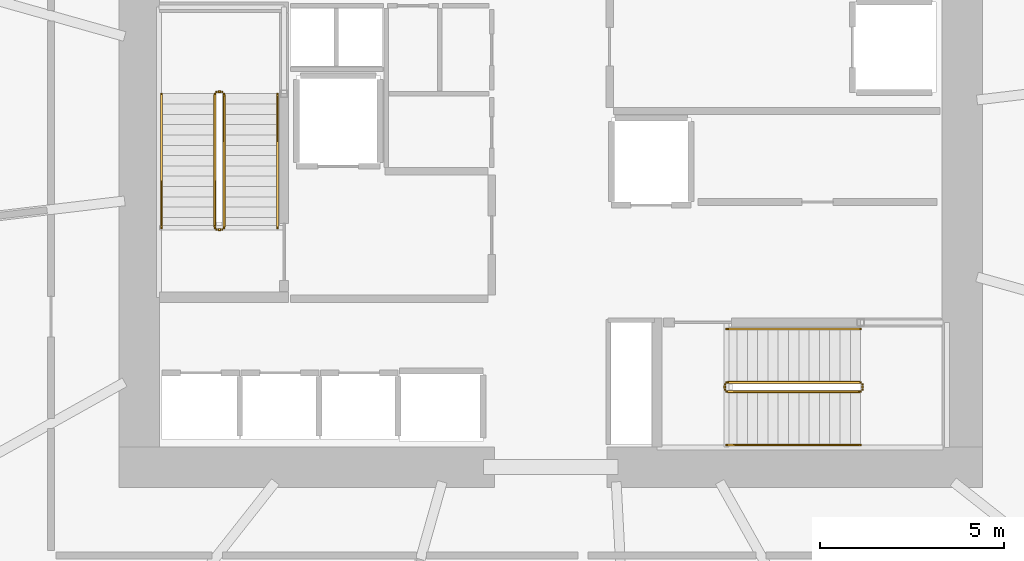
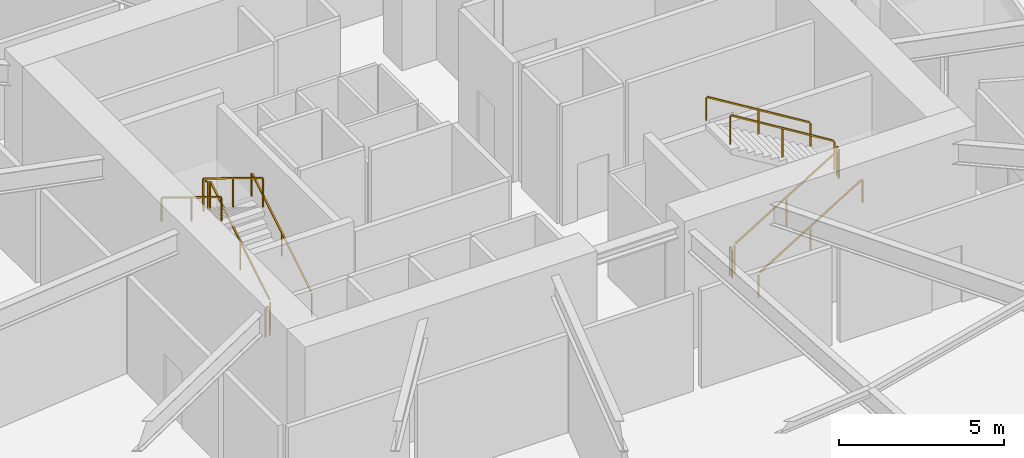
# One storey, part 21 of 22: 12 railings.
"""IFC4 building model written with IfcOpenShell, lengths in metres."""

import ifcopenshell
import ifcopenshell.guid

model = None  # the IFC model being written
_history = None  # IfcOwnerHistory: only IFC2X3 demands one
_inside = {}  # id of a spatial element -> (the spatial element, [elements in it])
_under = {}  # id of a project, library or spatial element -> (it, [spatial elements below it])
_declared = {}  # id of a project -> (the project, [libraries it declares])
_typed = {}  # id of a type object -> (the type object, [elements of that type])
_made_of = {}  # id of a material, layer set ... -> (it, [elements and type objects made of it])


def new_model(schema):
    """Start an empty IFC model of exactly this schema.

    Asked for "IFC4X3", IfcOpenShell would pick the latest addendum, in which some entities
    have other attributes; the version numbers below select the first issue.
    IFC2X3 requires an IfcOwnerHistory on every rooted entity: one is made here for all.
    """
    global model, _history
    if schema == "IFC4X3":
        model = ifcopenshell.file(schema_version=(4, 3, 0, 0))
    else:
        model = ifcopenshell.file(schema=schema)
    _inside.clear()
    _under.clear()
    _declared.clear()
    _typed.clear()
    _made_of.clear()
    _history = None
    if model.schema == "IFC2X3":
        org = make("IfcOrganization", Name="unknown")
        user = make(
            "IfcPersonAndOrganization",
            ThePerson=make("IfcPerson", FamilyName="unknown"),
            TheOrganization=org,
        )
        app = make(
            "IfcApplication",
            ApplicationDeveloper=org,
            Version="unknown",
            ApplicationFullName="unknown",
            ApplicationIdentifier="unknown",
        )
        _history = make(
            "IfcOwnerHistory",
            OwningUser=user,
            OwningApplication=app,
            ChangeAction="ADDED",
            CreationDate=0,
        )
    return model


def make(cls, **values):
    """One entity of the class cls with the attributes given. An attribute that is None is left unset."""
    return model.create_entity(
        cls, **{name: value for name, value in values.items() if value is not None}
    )


def rooted(cls, **values):
    """An entity with a GlobalId (a new one), such as an element, a storey or a relation."""
    return make(cls, GlobalId=ifcopenshell.guid.new(), OwnerHistory=_history, **values)


def si_unit(unit_type, name, prefix=None):
    """IfcSIUnit, for example si_unit("LENGTHUNIT", "METRE", prefix="MILLI")."""
    return make("IfcSIUnit", UnitType=unit_type, Prefix=prefix, Name=name)


def assignment(units):
    """IfcUnitAssignment: the units of a project."""
    return None if units is None else make("IfcUnitAssignment", Units=units)


def point(xyz):
    """IfcCartesianPoint."""
    return None if xyz is None else make("IfcCartesianPoint", Coordinates=xyz)


def direction(xyz):
    """IfcDirection."""
    return None if xyz is None else make("IfcDirection", DirectionRatios=xyz)


def frame(location, z_axis=None, x_axis=None):
    """IfcAxis2Placement3D, a coordinate frame: its origin and axes. An axis left out is left unset."""
    return make(
        "IfcAxis2Placement3D",
        Location=point(location),
        Axis=direction(z_axis),
        RefDirection=direction(x_axis),
    )


def frame_2d(location, x_axis=None):
    """IfcAxis2Placement2D, a coordinate frame in the plane: its origin and x axis."""
    return make(
        "IfcAxis2Placement2D", Location=point(location), RefDirection=direction(x_axis)
    )


def origin():
    """The frame at (0, 0, 0) with its axes left unset."""
    return frame((0.0, 0.0, 0.0))


def origin_2d():
    """The frame at (0, 0) in the plane with its x axis left unset."""
    return frame_2d((0.0, 0.0))


def place(relative_to, where):
    """IfcLocalPlacement: puts the frame where relative to a parent placement (None: the world)."""
    return make(
        "IfcLocalPlacement", PlacementRelTo=relative_to, RelativePlacement=where
    )


def context(
    kind, dimensions, precision=None, world=None, true_north=None, identifier=None
):
    """IfcGeometricRepresentationContext, for example the 3D "Model" context."""
    return make(
        "IfcGeometricRepresentationContext",
        ContextIdentifier=identifier,
        ContextType=kind,
        CoordinateSpaceDimension=dimensions,
        Precision=precision,
        WorldCoordinateSystem=world,
        TrueNorth=true_north,
    )


def subcontext(parent, identifier, kind, view, scale=None):
    """IfcGeometricRepresentationSubContext, for example "Body" below "Model"."""
    return make(
        "IfcGeometricRepresentationSubContext",
        ContextIdentifier=identifier,
        ContextType=kind,
        ParentContext=parent,
        TargetScale=scale,
        TargetView=view,
    )


def project(units=None, contexts=None):
    """IfcProject with its units and contexts."""
    return rooted(
        "IfcProject",
        Name="project",
        RepresentationContexts=contexts,
        UnitsInContext=assignment(units),
    )


def spatial(cls, under=None, at=None, **own):
    """A site, building, storey or space (cls), placed at a placement, below another one or the project."""
    s = rooted(cls, ObjectPlacement=at, **own)
    if under is not None:
        _under.setdefault(under.id(), (under, []))[1].append(s)
    return s


def profile(cls, at=None, kind="AREA", **sizes):
    """A parametric profile (cls). Its sizes go by their IFC names, for example OverallWidth=200.0."""
    return make(cls, ProfileType=kind, Position=at, **sizes)


def rectangle(**sizes):
    """IfcRectangleProfileDef."""
    return profile("IfcRectangleProfileDef", **sizes)


def extrude(swept, where, along, depth):
    """IfcExtrudedAreaSolid: the profile swept, set in the frame where, extruded along a direction by depth."""
    return make(
        "IfcExtrudedAreaSolid",
        SweptArea=swept,
        Position=where,
        ExtrudedDirection=direction(along),
        Depth=depth,
    )


def shape(context_of_items, identifier, shape_type, items):
    """IfcShapeRepresentation: the items that make up one representation, for example the "Body"."""
    return make(
        "IfcShapeRepresentation",
        ContextOfItems=context_of_items,
        RepresentationIdentifier=identifier,
        RepresentationType=shape_type,
        Items=items,
    )


def material(Name=None, Category=None):
    """IfcMaterial."""
    return make("IfcMaterial", Name=Name, Category=Category)


def made_of(thing, what):
    """Note that an element or type object is made of a material, layer set ...; save() writes the relation."""
    if what is not None:
        _made_of.setdefault(what.id(), (what, []))[1].append(thing)
    return thing


def type_object(cls, material=None, **own):
    """A type object (cls), such as IfcWallType, which elements share."""
    return made_of(rooted(cls, **own), material)


def element(
    cls,
    number,
    at=None,
    inside=None,
    cuts=None,
    type_object=None,
    material=None,
    context=None,
    identifier="Body",
    shape_type=None,
    held_by="IfcProductDefinitionShape",
    body=None,
    shapes=None,
    **own,
):
    """One element of the class cls, such as IfcWall. Its Tag is "e" and its number.

    at: its placement. inside: the storey or other place that contains it. cuts: it is an
    opening in that element (IfcRelVoidsElement). A single representation is given by context,
    identifier, shape_type and body (its items); several are given by shapes. held_by: the class
    of the entity that holds the representations. save() writes the other relations.
    """
    e = rooted(cls, Tag="e%d" % number, ObjectPlacement=at, **own)
    if body is not None:
        shapes = [shape(context, identifier, shape_type, body)]
    if shapes is not None:
        e.Representation = make(held_by, Representations=shapes)
    if inside is not None:
        _inside.setdefault(inside.id(), (inside, []))[1].append(e)
    if cuts is not None:
        rooted(
            "IfcRelVoidsElement", RelatingBuildingElement=cuts, RelatedOpeningElement=e
        )
    if type_object is not None:
        _typed.setdefault(type_object.id(), (type_object, []))[1].append(e)
    return made_of(e, material)


def aggregate(whole, parts):
    """IfcRelAggregates: a whole, such as a stair, and the parts it consists of."""
    return rooted("IfcRelAggregates", RelatingObject=whole, RelatedObjects=parts)


def save(model, path):
    """Write the relations noted so far, then the file.

    IfcRelAggregates (storeys below a building ...), IfcRelContainedInSpatialStructure (elements
    in a storey), IfcRelDefinesByType, IfcRelAssociatesMaterial and IfcRelDeclares: one each for
    every whole, place, type object, material and project.
    """
    for whole, parts in _under.values():
        aggregate(whole, parts)
    for where, things in _inside.values():
        rooted(
            "IfcRelContainedInSpatialStructure",
            RelatedElements=things,
            RelatingStructure=where,
        )
    for kind, things in _typed.values():
        rooted("IfcRelDefinesByType", RelatedObjects=things, RelatingType=kind)
    for what, things in _made_of.values():
        rooted("IfcRelAssociatesMaterial", RelatedObjects=things, RelatingMaterial=what)
    for by, libraries in _declared.values():
        rooted("IfcRelDeclares", RelatingContext=by, RelatedDefinitions=libraries)
    model.write(path)


model = new_model("IFC4")

# Units and contexts
model_context = context("Model", 3, precision=1e-05, world=origin(), true_north=direction((0.0, 1.0)))
body_context = subcontext(model_context, "Body", "Model", "MODEL_VIEW")
ifc_project = project(units=[si_unit("LENGTHUNIT", "METRE"), si_unit("AREAUNIT", "SQUARE_METRE"), si_unit("VOLUMEUNIT", "CUBIC_METRE"), si_unit("PLANEANGLEUNIT", "RADIAN"), si_unit("MASSUNIT", "GRAM", prefix="KILO")], contexts=[model_context])

# Site, building, storey
site_placement = place(None, origin())
site = spatial("IfcSite", under=ifc_project, at=site_placement, CompositionType="ELEMENT")
building_placement = place(site_placement, origin())
building = spatial("IfcBuilding", under=site, at=building_placement, Name="Kazma Halo Residences", CompositionType="ELEMENT")
storey_placement = place(building_placement, frame((0.0, 0.0, 16.800048828125)))
storey = spatial("IfcBuildingStorey", under=building, at=storey_placement, Name="L03", CompositionType="ELEMENT", Elevation=16.800048828125)

# Railings
ifc_material_1 = material(Name="Painted Steel S355", Category="steel")
railing_type_1 = type_object("IfcRailingType", Name="RLG-STAIR-GRD-1100", PredefinedType="GUARDRAIL", material=ifc_material_1)
railing_1_placement = place(storey_placement, frame((39.550048828125, 39.949951171875, 0.17138671875)))
element("IfcRailing", 1, at=railing_1_placement, inside=storey, type_object=railing_type_1, Name="L03 ST-01 stair guard 1", PredefinedType="GUARDRAIL", context=body_context, shape_type="SweptSolid", body=[
    extrude(rectangle(XDim=0.050048828125, YDim=0.050048828125, at=origin_2d()), frame((0.0, 0.036376953125, 1.09716796875), z_axis=(0.0, 0.852865859571, 0.52213008492), x_axis=(-1.0, 0.0, 0.0)), (0.0, 0.0, 1.0), 4.18310546875),
    extrude(rectangle(XDim=0.0400390625, YDim=0.0400390625, at=origin_2d()), origin(), (0.0, 0.0, 1.0), 1.0380859375),
    extrude(rectangle(XDim=0.0400390625, YDim=0.0400390625, at=origin_2d()), frame((0.0, 1.820068359375, 1.1142578125)), (0.0, 0.0, 1.0), 1.0380859375),
    extrude(rectangle(XDim=0.0400390625, YDim=0.0400390625, at=origin_2d()), frame((0.0, 3.64013671875, 2.228515625)), (0.0, 0.0, 1.0), 1.0380859375),
])
railing_2_placement = place(storey_placement, frame((39.5, 43.639892578125, 2.39990234375)))
element("IfcRailing", 2, at=railing_2_placement, inside=storey, type_object=railing_type_1, Name="L03 ST-01 stair guard 2", PredefinedType="GUARDRAIL", context=body_context, shape_type="SweptSolid", body=[
    extrude(rectangle(XDim=0.050048828125, YDim=0.050048828125, at=origin_2d()), frame((-0.04248046875, 0.0, 1.0751953125), z_axis=(-1.0, 0.0, 0.0), x_axis=(0.0, -1.0, 0.0)), (0.0, 0.0, 1.0), 0.06494140625),
    extrude(rectangle(XDim=0.0400390625, YDim=0.0400390625, at=origin_2d()), origin(), (0.0, 0.0, 1.0), 1.0380859375),
    extrude(rectangle(XDim=0.0400390625, YDim=0.0400390625, at=origin_2d()), frame((-0.14990234375, 0.0, 0.0)), (0.0, 0.0, 1.0), 1.0380859375),
])
railing_3_placement = place(storey_placement, frame((39.300048828125, 43.590087890625, 2.5712890625)))
element("IfcRailing", 3, at=railing_3_placement, inside=storey, type_object=railing_type_1, Name="L03 ST-01 stair guard 3", PredefinedType="GUARDRAIL", context=body_context, shape_type="SweptSolid", body=[
    extrude(rectangle(XDim=0.050048828125, YDim=0.050048828125, at=origin_2d()), frame((0.0, -0.036376953125, 1.09716796875), z_axis=(0.0, -0.852840387347, 0.522171689878), x_axis=(1.0, 0.0, 0.0)), (0.0, 0.0, 1.0), 4.18310546875),
    extrude(rectangle(XDim=0.0400390625, YDim=0.0400390625, at=origin_2d()), origin(), (0.0, 0.0, 1.0), 1.0380859375),
    extrude(rectangle(XDim=0.0400390625, YDim=0.0400390625, at=origin_2d()), frame((0.0, -1.820068359375, 1.1142578125)), (0.0, 0.0, 1.0), 1.0380859375),
    extrude(rectangle(XDim=0.0400390625, YDim=0.0400390625, at=origin_2d()), frame((0.0, -3.64013671875, 2.228759765625)), (0.0, 0.0, 1.0), 1.0380859375),
])
railing_4_placement = place(storey_placement, frame((39.5, 39.89990234375, 0.0)))
element("IfcRailing", 4, at=railing_4_placement, inside=storey, type_object=railing_type_1, Name="L03 ST-01 stair guard 4", PredefinedType="GUARDRAIL", context=body_context, shape_type="SweptSolid", body=[
    extrude(rectangle(XDim=0.050048828125, YDim=0.050048828125, at=origin_2d()), frame((-0.04248046875, 0.0, 1.0751953125), z_axis=(-1.0, 0.0, 0.0), x_axis=(0.0, -1.0, 0.0)), (0.0, 0.0, 1.0), 0.06494140625),
    extrude(rectangle(XDim=0.0400390625, YDim=0.0400390625, at=origin_2d()), origin(), (0.0, 0.0, 1.0), 1.0380859375),
    extrude(rectangle(XDim=0.0400390625, YDim=0.0400390625, at=origin_2d()), frame((-0.14990234375, 0.0, 0.0)), (0.0, 0.0, 1.0), 1.0380859375),
])
railing_5_placement = place(storey_placement, frame((53.199951171875, 35.5, 0.17138671875)))
element("IfcRailing", 5, at=railing_5_placement, inside=storey, type_object=railing_type_1, Name="L03 ST-03 stair guard 1", PredefinedType="GUARDRAIL", context=body_context, shape_type="SweptSolid", body=[
    extrude(rectangle(XDim=0.050048828125, YDim=0.050048828125, at=origin_2d()), frame((0.036376953125, 0.0, 1.09716796875), z_axis=(0.852865859571, 0.0, 0.52213008492), x_axis=(0.0, 1.0, 0.0)), (0.0, 0.0, 1.0), 4.18310546875),
    extrude(rectangle(XDim=0.0400390625, YDim=0.0400390625, at=origin_2d()), origin(), (0.0, 0.0, 1.0), 1.0380859375),
    extrude(rectangle(XDim=0.0400390625, YDim=0.0400390625, at=origin_2d()), frame((1.820068359375, 0.0, 1.1142578125)), (0.0, 0.0, 1.0), 1.0380859375),
    extrude(rectangle(XDim=0.0400390625, YDim=0.0400390625, at=origin_2d()), frame((3.64013671875, 0.0, 2.228515625)), (0.0, 0.0, 1.0), 1.0380859375),
])
railing_6_placement = place(storey_placement, frame((56.889892578125, 35.550048828125, 2.39990234375)))
element("IfcRailing", 6, at=railing_6_placement, inside=storey, type_object=railing_type_1, Name="L03 ST-03 stair guard 2", PredefinedType="GUARDRAIL", context=body_context, shape_type="SweptSolid", body=[
    extrude(rectangle(XDim=0.050048828125, YDim=0.050048828125, at=origin_2d()), frame((0.0, 0.04248046875, 1.0751953125), z_axis=(0.0, 1.0, 0.0), x_axis=(-1.0, 0.0, 0.0)), (0.0, 0.0, 1.0), 0.06494140625),
    extrude(rectangle(XDim=0.0400390625, YDim=0.0400390625, at=origin_2d()), origin(), (0.0, 0.0, 1.0), 1.0380859375),
    extrude(rectangle(XDim=0.0400390625, YDim=0.0400390625, at=origin_2d()), frame((0.0, 0.14990234375, 0.0)), (0.0, 0.0, 1.0), 1.0380859375),
])
railing_7_placement = place(storey_placement, frame((56.840087890625, 35.75, 2.5712890625)))
element("IfcRailing", 7, at=railing_7_placement, inside=storey, type_object=railing_type_1, Name="L03 ST-03 stair guard 3", PredefinedType="GUARDRAIL", context=body_context, shape_type="SweptSolid", body=[
    extrude(rectangle(XDim=0.050048828125, YDim=0.050048828125, at=origin_2d()), frame((-0.036376953125, 0.0, 1.09716796875), z_axis=(-0.852840387347, 0.0, 0.522171689878), x_axis=(0.0, -1.0, 0.0)), (0.0, 0.0, 1.0), 4.18310546875),
    extrude(rectangle(XDim=0.0400390625, YDim=0.0400390625, at=origin_2d()), origin(), (0.0, 0.0, 1.0), 1.0380859375),
    extrude(rectangle(XDim=0.0400390625, YDim=0.0400390625, at=origin_2d()), frame((-1.820068359375, 0.0, 1.1142578125)), (0.0, 0.0, 1.0), 1.0380859375),
    extrude(rectangle(XDim=0.0400390625, YDim=0.0400390625, at=origin_2d()), frame((-3.64013671875, 0.0, 2.228759765625)), (0.0, 0.0, 1.0), 1.0380859375),
])
railing_8_placement = place(storey_placement, frame((53.14990234375, 35.550048828125, 0.0)))
element("IfcRailing", 8, at=railing_8_placement, inside=storey, type_object=railing_type_1, Name="L03 ST-03 stair guard 4", PredefinedType="GUARDRAIL", context=body_context, shape_type="SweptSolid", body=[
    extrude(rectangle(XDim=0.050048828125, YDim=0.050048828125, at=origin_2d()), frame((0.0, 0.04248046875, 1.0751953125), z_axis=(0.0, 1.0, 0.0), x_axis=(-1.0, 0.0, 0.0)), (0.0, 0.0, 1.0), 0.06494140625),
    extrude(rectangle(XDim=0.0400390625, YDim=0.0400390625, at=origin_2d()), origin(), (0.0, 0.0, 1.0), 1.0380859375),
    extrude(rectangle(XDim=0.0400390625, YDim=0.0400390625, at=origin_2d()), frame((0.0, 0.14990234375, 0.0)), (0.0, 0.0, 1.0), 1.0380859375),
])
ifc_material_2 = material(Name="Brushed Stainless Steel", Category="steel")
railing_type_2 = type_object("IfcRailingType", Name="RLG-STAIR-HND-900", PredefinedType="HANDRAIL", material=ifc_material_2)
railing_9_placement = place(storey_placement, frame((41.0, 39.949951171875, 0.17138671875)))
element("IfcRailing", 9, at=railing_9_placement, inside=storey, type_object=railing_type_2, Name="L03 ST-01 stair handrail 1", PredefinedType="HANDRAIL", context=body_context, shape_type="SweptSolid", body=[
    extrude(rectangle(XDim=0.050048828125, YDim=0.050048828125, at=origin_2d()), frame((0.0, 0.036376953125, 0.89697265625), z_axis=(0.0, 0.852865859571, 0.52213008492), x_axis=(-1.0, 0.0, 0.0)), (0.0, 0.0, 1.0), 4.18310546875),
    extrude(rectangle(XDim=0.0400390625, YDim=0.0400390625, at=origin_2d()), origin(), (0.0, 0.0, 1.0), 0.837890625),
    extrude(rectangle(XDim=0.0400390625, YDim=0.0400390625, at=origin_2d()), frame((0.0, 1.820068359375, 1.1142578125)), (0.0, 0.0, 1.0), 0.837890625),
    extrude(rectangle(XDim=0.0400390625, YDim=0.0400390625, at=origin_2d()), frame((0.0, 3.64013671875, 2.228515625)), (0.0, 0.0, 1.0), 0.837890625),
])
railing_10_placement = place(storey_placement, frame((37.85009765625, 43.590087890625, 2.5712890625)))
element("IfcRailing", 10, at=railing_10_placement, inside=storey, type_object=railing_type_2, Name="L03 ST-01 stair handrail 2", PredefinedType="HANDRAIL", context=body_context, shape_type="SweptSolid", body=[
    extrude(rectangle(XDim=0.050048828125, YDim=0.050048828125, at=origin_2d()), frame((0.0, -0.036376953125, 0.89697265625), z_axis=(0.0, -0.852840387347, 0.522171689878), x_axis=(1.0, 0.0, 0.0)), (0.0, 0.0, 1.0), 4.18310546875),
    extrude(rectangle(XDim=0.0400390625, YDim=0.0400390625, at=origin_2d()), origin(), (0.0, 0.0, 1.0), 0.837890625),
    extrude(rectangle(XDim=0.0400390625, YDim=0.0400390625, at=origin_2d()), frame((0.0, -1.820068359375, 1.1142578125)), (0.0, 0.0, 1.0), 0.837890625),
    extrude(rectangle(XDim=0.0400390625, YDim=0.0400390625, at=origin_2d()), frame((0.0, -3.64013671875, 2.228759765625)), (0.0, 0.0, 1.0), 0.837890625),
])
railing_11_placement = place(storey_placement, frame((53.199951171875, 34.050048828125, 0.17138671875)))
element("IfcRailing", 11, at=railing_11_placement, inside=storey, type_object=railing_type_2, Name="L03 ST-03 stair handrail 1", PredefinedType="HANDRAIL", context=body_context, shape_type="SweptSolid", body=[
    extrude(rectangle(XDim=0.050048828125, YDim=0.050048828125, at=origin_2d()), frame((0.036376953125, 0.0, 0.89697265625), z_axis=(0.852865859571, 0.0, 0.52213008492), x_axis=(0.0, 1.0, 0.0)), (0.0, 0.0, 1.0), 4.18310546875),
    extrude(rectangle(XDim=0.0400390625, YDim=0.0400390625, at=origin_2d()), origin(), (0.0, 0.0, 1.0), 0.837890625),
    extrude(rectangle(XDim=0.0400390625, YDim=0.0400390625, at=origin_2d()), frame((1.820068359375, 0.0, 1.1142578125)), (0.0, 0.0, 1.0), 0.837890625),
    extrude(rectangle(XDim=0.0400390625, YDim=0.0400390625, at=origin_2d()), frame((3.64013671875, 0.0, 2.228515625)), (0.0, 0.0, 1.0), 0.837890625),
])
railing_12_placement = place(storey_placement, frame((56.840087890625, 37.199951171875, 2.5712890625)))
element("IfcRailing", 12, at=railing_12_placement, inside=storey, type_object=railing_type_2, Name="L03 ST-03 stair handrail 2", PredefinedType="HANDRAIL", context=body_context, shape_type="SweptSolid", body=[
    extrude(rectangle(XDim=0.050048828125, YDim=0.050048828125, at=origin_2d()), frame((-0.036376953125, 0.0, 0.89697265625), z_axis=(-0.852840387347, 0.0, 0.522171689878), x_axis=(0.0, -1.0, 0.0)), (0.0, 0.0, 1.0), 4.18310546875),
    extrude(rectangle(XDim=0.0400390625, YDim=0.0400390625, at=origin_2d()), origin(), (0.0, 0.0, 1.0), 0.837890625),
    extrude(rectangle(XDim=0.0400390625, YDim=0.0400390625, at=origin_2d()), frame((-1.820068359375, 0.0, 1.1142578125)), (0.0, 0.0, 1.0), 0.837890625),
    extrude(rectangle(XDim=0.0400390625, YDim=0.0400390625, at=origin_2d()), frame((-3.64013671875, 0.0, 2.228759765625)), (0.0, 0.0, 1.0), 0.837890625),
])

save(model, "model.ifc")
